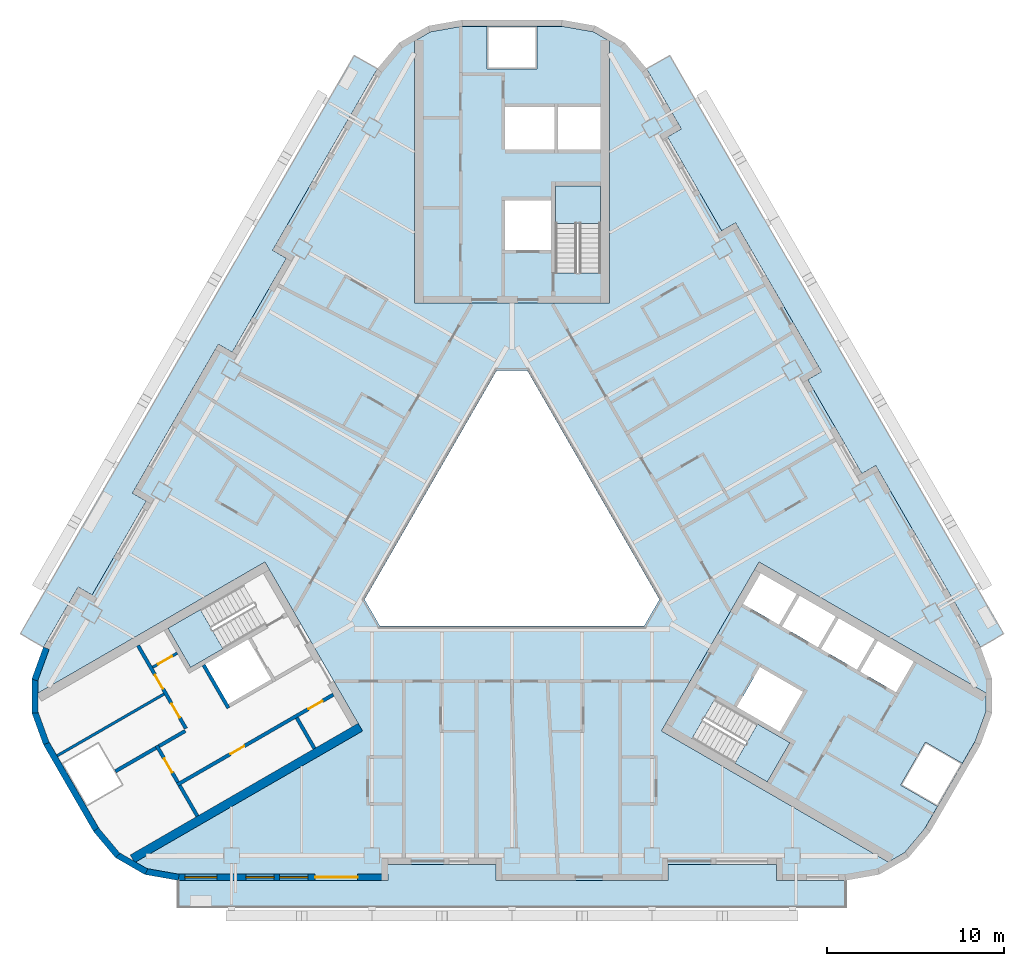
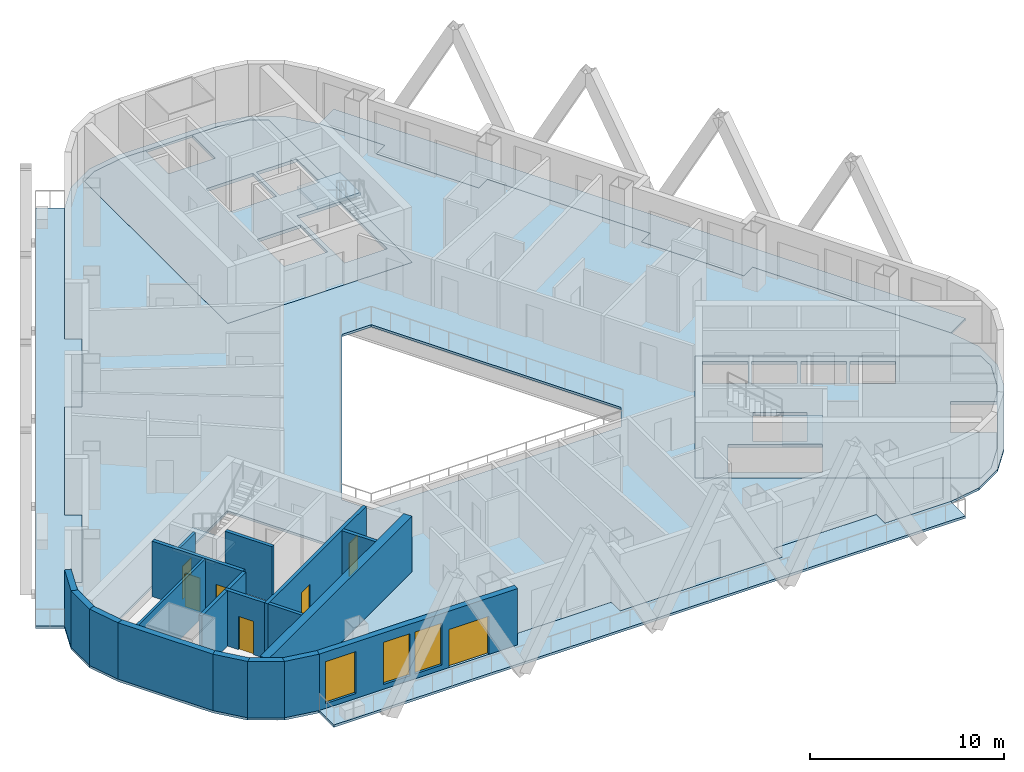
# One storey, part 2 of 14: 19 walls, 9 slabs, 7 doors, 3 windows, 10 openings, 3 elements without a shape of their own.
"""IFC4 building model written with IfcOpenShell, lengths in metres."""

from ifc_helpers import new_model, si_unit, direction, frame, frame_2d, origin, place, context, subcontext, project, spatial, polyline, rectangle, outline, extrude, material, layer, layer_set, type_object, element, fill, aggregate, save


model = new_model("IFC4")

# Units and contexts
model_context = context("Model", 3, precision=1e-05, world=origin(), true_north=direction((0.0, 1.0)))
body_context = subcontext(model_context, "Body", "Model", "MODEL_VIEW")
ifc_project = project(units=[si_unit("LENGTHUNIT", "METRE"), si_unit("AREAUNIT", "SQUARE_METRE"), si_unit("VOLUMEUNIT", "CUBIC_METRE"), si_unit("PLANEANGLEUNIT", "RADIAN"), si_unit("MASSUNIT", "GRAM", prefix="KILO")], contexts=[model_context])

# Site, building, storey
site_placement = place(None, origin())
site = spatial("IfcSite", under=ifc_project, at=site_placement, CompositionType="ELEMENT")
building_placement = place(site_placement, origin())
building = spatial("IfcBuilding", under=site, at=building_placement, Name="Apuvela Tower Hotel", CompositionType="ELEMENT")
storey_placement = place(building_placement, frame((0.0, 0.0, 90.89990234375)))
storey = spatial("IfcBuildingStorey", under=building, at=storey_placement, Name="L20", CompositionType="ELEMENT", Elevation=90.89990234375)

# Slabs
ifc_material_1 = material(Name="Concrete C50/60", Category="concrete")
ifc_layer_1 = layer(ifc_material_1, 0.199951171875)
ifc_layer_set_1 = layer_set([ifc_layer_1], Name="COR-FLOOR-200")
slab_type_1 = type_object("IfcSlabType", Name="COR-FLOOR-200", PredefinedType="FLOOR", material=ifc_layer_set_1)
slab_1_placement = place(storey_placement, frame((0.0, 0.0, -0.199951171875)))
element("IfcSlab", 1, at=slab_1_placement, inside=storey, type_object=slab_type_1, Name="Core floor N", PredefinedType="FLOOR", context=body_context, shape_type="SweptSolid", body=[
    extrude(outline(polyline([(5.5, 27.668212890625), (4.588623046875, 28.1943359375), (2.85498046875, 28.5), (1.39990234375, 28.5), (1.39990234375, 26.10009765625), (-1.39990234375, 26.10009765625), (-1.39990234375, 28.5), (-2.85498046875, 28.5), (-4.588623046875, 28.1943359375), (-5.5, 27.668212890625), (-5.5, 12.89990234375), (5.5, 12.89990234375), (5.5, 27.668212890625)]), holes=[polyline([(5.0, 14.60595703125), (2.449951171875, 14.60595703125), (2.449951171875, 19.5), (5.0, 19.5), (5.0, 14.60595703125)]), polyline([(2.199951171875, 15.89990234375), (-0.39990234375, 15.89990234375), (-0.39990234375, 18.699951171875), (2.199951171875, 18.699951171875), (2.199951171875, 15.89990234375)]), polyline([(5.0, 21.550048828125), (2.60009765625, 21.550048828125), (2.60009765625, 23.949951171875), (5.0, 23.949951171875), (5.0, 21.550048828125)]), polyline([(2.39990234375, 21.550048828125), (-0.39990234375, 21.550048828125), (-0.39990234375, 23.949951171875), (2.39990234375, 23.949951171875), (2.39990234375, 21.550048828125)])]), origin(), (0.0, 0.0, 1.0), 0.199951171875),
])
slab_2_placement = place(storey_placement, frame((0.0, 0.0, -0.199951171875)))
element("IfcSlab", 2, at=slab_2_placement, inside=storey, type_object=slab_type_1, Name="Core floor SE", PredefinedType="FLOOR", context=body_context, shape_type="SweptSolid", body=[
    extrude(outline(polyline([(21.211181640625, -18.59716796875), (22.122802734375, -18.071044921875), (23.254150390625, -16.72265625), (23.981689453125, -15.46240234375), (21.9033203125, -14.262451171875), (23.30322265625, -11.837646484375), (25.381591796875, -13.03759765625), (26.109375, -11.77734375), (26.711181640625, -10.123291015625), (26.711181640625, -9.07080078125), (13.921630859375, -1.68701171875), (8.421630859375, -11.213134765625), (21.211181640625, -18.59716796875)]), holes=[polyline([(13.01806640625, -4.052001953125), (14.01806640625, -2.31982421875), (16.044677734375, -3.489990234375), (15.044677734375, -5.221923828125), (13.01806640625, -4.052001953125)]), polyline([(17.244384765625, -6.491943359375), (15.2177734375, -5.322021484375), (16.2177734375, -3.58984375), (18.244384765625, -4.760009765625), (17.244384765625, -6.491943359375)]), polyline([(14.387451171875, -14.080078125), (10.149169921875, -11.633056640625), (11.42431640625, -9.4248046875), (15.66259765625, -11.871826171875), (14.387451171875, -14.080078125)]), polyline([(12.669921875, -9.855224609375), (13.9697265625, -7.603515625), (16.394775390625, -9.003662109375), (15.0947265625, -11.25537109375), (12.669921875, -9.855224609375)]), polyline([(19.444091796875, -7.761962890625), (17.41748046875, -6.591796875), (18.41748046875, -4.85986328125), (20.444091796875, -6.02978515625), (19.444091796875, -7.761962890625)]), polyline([(21.643798828125, -9.031982421875), (19.6171875, -7.86181640625), (20.6171875, -6.1298828125), (22.643798828125, -7.2998046875), (21.643798828125, -9.031982421875)])]), origin(), (0.0, 0.0, 1.0), 0.199951171875),
])

# Stair, slab
stair_type = type_object("IfcStairType", Name="COR-STAIR-22R", PredefinedType="HALF_TURN_STAIR", material=ifc_material_1)
stair_1_placement = place(storey_placement, origin())
stair_1 = element("IfcStair", 3, at=stair_1_placement, inside=storey, type_object=stair_type, Name="L20 Exit stair ST1", PredefinedType="HALF_TURN_STAIR")
ifc_layer_2 = layer(ifc_material_1, 0.199951171875)
ifc_layer_set_2 = layer_set([ifc_layer_2], Name="COR-LANDING-200")
slab_type_2 = type_object("IfcSlabType", Name="COR-LANDING-200", PredefinedType="LANDING", material=ifc_layer_set_2)
slab_3_placement = place(storey_placement, frame((0.0, 0.0, 1.650146484375)))
slab_3 = element("IfcSlab", 4, at=slab_3_placement, type_object=slab_type_2, Name="ST1 landing 1", PredefinedType="LANDING", context=body_context, shape_type="SweptSolid", body=[
    extrude(outline(polyline([(5.0, 17.39404296875), (5.0, 19.5), (2.449951171875, 19.5), (2.449951171875, 17.39404296875), (5.0, 17.39404296875)])), origin(), (0.0, 0.0, 1.0), 0.199951171875),
])
aggregate(stair_1, [slab_3])

stair_2_placement = place(storey_placement, origin())
stair_2 = element("IfcStair", 5, at=stair_2_placement, inside=storey, type_object=stair_type, Name="L20 Exit stair ST2", PredefinedType="HALF_TURN_STAIR")
slab_4_placement = place(storey_placement, frame((0.0, 0.0, 1.650146484375)))
slab_4 = element("IfcSlab", 6, at=slab_4_placement, type_object=slab_type_2, Name="ST2 landing 1", PredefinedType="LANDING", context=body_context, shape_type="SweptSolid", body=[
    extrude(outline(polyline([(-17.563720703125, -4.366943359375), (-19.387451171875, -5.419921875), (-18.112548828125, -7.628173828125), (-16.28857421875, -6.5751953125), (-17.563720703125, -4.366943359375)])), origin(), (0.0, 0.0, 1.0), 0.199951171875),
])
aggregate(stair_2, [slab_4])

stair_3_placement = place(storey_placement, origin())
stair_3 = element("IfcStair", 7, at=stair_3_placement, inside=storey, type_object=stair_type, Name="L20 Exit stair ST3", PredefinedType="HALF_TURN_STAIR")
slab_5_placement = place(storey_placement, frame((0.0, 0.0, 1.650146484375)))
slab_5 = element("IfcSlab", 8, at=slab_5_placement, type_object=slab_type_2, Name="ST3 landing 1", PredefinedType="LANDING", context=body_context, shape_type="SweptSolid", body=[
    extrude(outline(polyline([(12.563720703125, -13.027099609375), (14.387451171875, -14.080078125), (15.66259765625, -11.871826171875), (13.838623046875, -10.81884765625), (12.563720703125, -13.027099609375)])), origin(), (0.0, 0.0, 1.0), 0.199951171875),
])
aggregate(stair_3, [slab_5])

# Slabs
ifc_material_2 = material(Name="Concrete C40/50, fair-faced", Category="concrete")
ifc_layer_3 = layer(ifc_material_2, 0.14990234375)
ifc_layer_set_3 = layer_set([ifc_layer_3], Name="ENV-BALCONY-150")
slab_type_3 = type_object("IfcSlabType", Name="ENV-BALCONY-150", PredefinedType="FLOOR", material=ifc_layer_set_3)
slab_6_placement = place(storey_placement, frame((0.0, 0.0, -0.14990234375)))
element("IfcSlab", 9, at=slab_6_placement, inside=storey, type_object=slab_type_3, Name="Balcony slab S L20", PredefinedType="FLOOR", context=body_context, shape_type="SweptSolid", body=[
    extrude(outline(polyline([(18.82080078125, -21.135009765625), (-18.82080078125, -21.135009765625), (-18.82080078125, -19.625), (-7.0048828125, -19.625), (-7.0048828125, -18.72509765625), (-0.89501953125, -18.72509765625), (-0.89501953125, -19.625), (8.794921875, -19.625), (8.794921875, -18.72509765625), (14.905029296875, -18.72509765625), (14.905029296875, -19.625), (18.82080078125, -19.625), (18.82080078125, -21.135009765625)])), origin(), (0.0, 0.0, 1.0), 0.14990234375),
])
slab_7_placement = place(storey_placement, frame((0.0, 0.0, -0.14990234375)))
element("IfcSlab", 10, at=slab_7_placement, inside=storey, type_object=slab_type_3, Name="Balcony slab NE L20", PredefinedType="FLOOR", context=body_context, shape_type="SweptSolid", body=[
    extrude(outline(polyline([(17.443359375, 9.037353515625), (12.598388671875, 17.42919921875), (11.81884765625, 16.979248046875), (8.763916015625, 22.2705078125), (9.543212890625, 22.720703125), (7.585205078125, 26.11181640625), (8.89306640625, 26.86669921875), (27.7138671875, -5.731689453125), (26.40625, -6.48681640625), (20.498291015625, 3.74609375), (19.71875, 3.2958984375), (16.663818359375, 8.58740234375), (17.443359375, 9.037353515625)])), origin(), (0.0, 0.0, 1.0), 0.14990234375),
])
slab_8_placement = place(storey_placement, frame((0.0, 0.0, -0.14990234375)))
element("IfcSlab", 11, at=slab_8_placement, inside=storey, type_object=slab_type_3, Name="Balcony slab NW L20", PredefinedType="FLOOR", context=body_context, shape_type="SweptSolid", body=[
    extrude(outline(polyline([(-27.7138671875, -5.731689453125), (-8.89306640625, 26.86669921875), (-7.585205078125, 26.11181640625), (-13.4931640625, 15.87890625), (-12.7138671875, 15.428955078125), (-15.768798828125, 10.1376953125), (-16.548095703125, 10.587646484375), (-21.393310546875, 2.19580078125), (-20.61376953125, 1.745849609375), (-23.668701171875, -3.545654296875), (-24.4482421875, -3.095703125), (-26.40625, -6.48681640625), (-27.7138671875, -5.731689453125)])), origin(), (0.0, 0.0, 1.0), 0.14990234375),
])
ifc_material_3 = material(Name="Concrete C35/45", Category="concrete")
ifc_layer_4 = layer(ifc_material_3, 0.14990234375)
ifc_layer_set_4 = layer_set([ifc_layer_4], Name="STR-SLAB 150 floor Concrete C35/45")
slab_type_4 = type_object("IfcSlabType", Name="STR-SLAB 150 floor Concrete C35/45", PredefinedType="FLOOR", material=ifc_layer_set_4)
slab_9_placement = place(storey_placement, frame((0.0, 0.0, -0.14990234375)))
element("IfcSlab", 12, at=slab_9_placement, inside=storey, type_object=slab_type_4, Name="Floor slab S4 L20", PredefinedType="FLOOR", context=body_context, shape_type="SweptSolid", body=[
    extrude(outline(polyline([(-6.3642578125, 27.5732421875), (-4.710205078125, 28.5283203125), (-2.8291015625, 28.860107421875), (2.8291015625, 28.860107421875), (4.710205078125, 28.5283203125), (6.3642578125, 27.5732421875), (7.59228515625, 26.110107421875), (9.550048828125, 22.71875), (8.770751953125, 22.268798828125), (11.82080078125, 16.986083984375), (12.60009765625, 17.43603515625), (17.4501953125, 9.035400390625), (16.670654296875, 8.58544921875), (19.720703125, 3.302734375), (20.5, 3.752685546875), (26.407958984375, -6.47998046875), (27.061279296875, -8.27490234375), (27.061279296875, -10.18505859375), (26.407958984375, -11.97998046875), (23.5791015625, -16.8798828125), (22.351318359375, -18.34326171875), (20.697021484375, -19.29833984375), (18.81591796875, -19.6298828125), (14.89990234375, -19.6298828125), (14.89990234375, -18.72998046875), (8.800048828125, -18.72998046875), (8.800048828125, -19.6298828125), (-0.89990234375, -19.6298828125), (-0.89990234375, -18.72998046875), (-7.0, -18.72998046875), (-7.0, -19.6298828125), (-18.81591796875, -19.6298828125), (-20.697021484375, -19.29833984375), (-22.351318359375, -18.34326171875), (-23.5791015625, -16.8798828125), (-26.407958984375, -11.97998046875), (-27.061279296875, -10.18505859375), (-27.061279296875, -8.27490234375), (-26.407958984375, -6.47998046875), (-24.4501953125, -3.088623046875), (-23.670654296875, -3.538818359375), (-20.62060546875, 1.743896484375), (-21.400146484375, 2.194091796875), (-16.550048828125, 10.594482421875), (-15.7705078125, 10.14453125), (-12.720703125, 15.42724609375), (-13.5, 15.877197265625), (-7.59228515625, 26.110107421875), (-6.3642578125, 27.5732421875)]), holes=[polyline([(0.865966796875, 9.10009765625), (-0.865966796875, 9.10009765625), (-8.313720703125, -3.800048828125), (-7.44775390625, -5.300048828125), (7.44775390625, -5.300048828125), (8.313720703125, -3.800048828125), (0.865966796875, 9.10009765625)]), polyline([(-5.5, 12.89990234375), (-5.5, 27.668212890625), (-4.588623046875, 28.1943359375), (-2.85498046875, 28.5), (2.85498046875, 28.5), (4.588623046875, 28.1943359375), (5.5, 27.668212890625), (5.5, 12.89990234375), (-5.5, 12.89990234375)]), polyline([(-8.421630859375, -11.213134765625), (-21.211181640625, -18.59716796875), (-22.122802734375, -18.071044921875), (-23.254150390625, -16.72265625), (-26.109375, -11.77734375), (-26.711181640625, -10.123291015625), (-26.711181640625, -9.07080078125), (-13.921630859375, -1.68701171875), (-8.421630859375, -11.213134765625)]), polyline([(13.921630859375, -1.68701171875), (26.711181640625, -9.07080078125), (26.711181640625, -10.123291015625), (26.109375, -11.77734375), (23.254150390625, -16.72265625), (22.122802734375, -18.071044921875), (21.211181640625, -18.59716796875), (8.421630859375, -11.213134765625), (13.921630859375, -1.68701171875)])]), origin(), (0.0, 0.0, 1.0), 0.14990234375),
])

# Wall
ifc_layer_5 = layer(ifc_material_1, 0.5)
ifc_layer_set_5 = layer_set([ifc_layer_5], Name="COR-WALL-CORE-500")
wall_type_1 = type_object("IfcWallType", Name="COR-WALL-CORE-500", PredefinedType="SHEAR", material=ifc_layer_set_5)
wall_1_placement = place(storey_placement, frame((-8.546630859375, -10.99658203125, 0.0), z_axis=(0.0, 0.0, 1.0), x_axis=(-0.866025009528, -0.500000682871, 0.0)))
element("IfcWall", 13, at=wall_1_placement, inside=storey, type_object=wall_type_1, Name="Core wall SW", PredefinedType="SHEAR", context=body_context, shape_type="SweptSolid", body=[
    extrude(rectangle(XDim=14.8369140625, YDim=0.5, at=frame_2d((7.41845703125, 0.0))), origin(), (0.0, 0.0, 1.0), 3.5),
])

# Wall, opening, door
ifc_material_4 = material(Name="Blockwork 150 mm plastered", Category="masonry")
ifc_layer_6 = layer(ifc_material_4, 0.14990234375)
ifc_layer_set_6 = layer_set([ifc_layer_6], Name="COR-WALL-PART-150")
wall_type_2 = type_object("IfcWallType", Name="COR-WALL-PART-150", PredefinedType="PARTITIONING", material=ifc_layer_set_6)
wall_2_placement = place(storey_placement, frame((-18.866455078125, -6.822265625, 0.0), z_axis=(0.0, 0.0, 1.0), x_axis=(-0.866028054938, -0.499995408039, 0.0)))
wall_2 = element("IfcWall", 14, at=wall_2_placement, inside=storey, type_object=wall_type_2, Name="Partition SW", PredefinedType="PARTITIONING", context=body_context, shape_type="SweptSolid", body=[
    extrude(rectangle(XDim=1.60009765625, YDim=0.14990234375, at=frame_2d((0.800048828125, 0.0))), origin(), (0.0, 0.0, 1.0), 3.5),
])
opening_1_placement = place(wall_2_placement, frame((0.35009765625, 0.0, 0.0)))
opening_1 = element("IfcOpeningElement", 15, at=opening_1_placement, cuts=wall_2, Name="Opening W-RD", PredefinedType="OPENING", context=body_context, shape_type="SweptSolid", body=[
    extrude(rectangle(XDim=0.89990234375, YDim=2.10009765625, at=frame_2d((0.449951171875, 1.050048828125))), frame((0.0, 0.0849609375, 0.0), z_axis=(0.0, -1.0, 0.0), x_axis=(1.0, 0.0, 0.0)), (0.0, 0.0, 1.0), 0.169921875),
])
ifc_material_5 = material(Name="Steel access door, powder coated", Category="steel")
door_type_1 = type_object("IfcDoorType", Name="COR-RD-900", OperationType="NOTDEFINED", PredefinedType="DOOR", material=ifc_material_5)
door_1_placement = place(opening_1_placement, frame((0.89990234375, 0.0, 0.0), z_axis=(0.0, 0.0, 1.0), x_axis=(-1.0, 0.0, 0.0)))
door_1 = element("IfcDoor", 16, at=door_1_placement, inside=storey, type_object=door_type_1, Name="Riser door W-RD", OperationType="SINGLE_SWING_RIGHT", OverallHeight=2.10009765625, OverallWidth=0.89990234375, PredefinedType="DOOR", context=body_context, shape_type="SweptSolid", body=[
    extrude(rectangle(XDim=0.89990234375, YDim=2.10009765625, at=frame_2d((0.449951171875, 1.050048828125))), frame((0.0, 0.02490234375, 0.0), z_axis=(0.0, -1.0, 0.0), x_axis=(1.0, 0.0, 0.0)), (0.0, 0.0, 1.0), 0.050048828125),
])
fill(opening_1, door_1)

# Wall
wall_3_placement = place(storey_placement, frame((-19.61279296875, -9.129638671875, 0.0), z_axis=(0.0, 0.0, 1.0), x_axis=(-0.866031734426, -0.499989034847, 0.0)))
element("IfcWall", 17, at=wall_3_placement, inside=storey, type_object=wall_type_2, Name="Partition SW", PredefinedType="PARTITIONING", context=body_context, shape_type="SweptSolid", body=[
    extrude(rectangle(XDim=6.949951171875, YDim=0.14990234375, at=frame_2d((3.47509765625, 0.0))), origin(), (0.0, 0.0, 1.0), 3.5),
])

# Wall, openings, doors
ifc_material_6 = material(Name="Blockwork 200 mm plastered", Category="masonry")
ifc_layer_7 = layer(ifc_material_6, 0.199951171875)
ifc_layer_set_7 = layer_set([ifc_layer_7], Name="COR-WALL-PART-200")
wall_type_3 = type_object("IfcWallType", Name="COR-WALL-PART-200", PredefinedType="PARTITIONING", material=ifc_layer_set_7)
wall_4_placement = place(storey_placement, frame((-21.076171875, -6.39501953125, 0.0), z_axis=(0.0, 0.0, 1.0), x_axis=(0.50001468107, -0.866016927499, 0.0)))
wall_4 = element("IfcWall", 18, at=wall_4_placement, inside=storey, type_object=wall_type_3, Name="Partition SW", PredefinedType="PARTITIONING", context=body_context, shape_type="SweptSolid", body=[
    extrude(rectangle(XDim=5.399658203125, YDim=0.199951171875, at=frame_2d((2.69970703125, 0.0))), origin(), (0.0, 0.0, 1.0), 3.5),
])
opening_2_placement = place(wall_4_placement, frame((1.91259765625, 0.0, 0.0)))
opening_2 = element("IfcOpeningElement", 19, at=opening_2_placement, cuts=wall_4, Name="Opening W-RS1", PredefinedType="OPENING", context=body_context, shape_type="SweptSolid", body=[
    extrude(rectangle(XDim=0.89990234375, YDim=2.10009765625, at=frame_2d((0.449951171875, 1.050048828125))), frame((0.0, 0.10986328125, 0.0), z_axis=(0.0, -1.0, 0.0), x_axis=(1.0, 0.0, 0.0)), (0.0, 0.0, 1.0), 0.219970703125),
])
opening_3_placement = place(wall_4_placement, frame((3.78759765625, 0.0, 0.0)))
opening_3 = element("IfcOpeningElement", 20, at=opening_3_placement, cuts=wall_4, Name="Opening W-RS2", PredefinedType="OPENING", context=body_context, shape_type="SweptSolid", body=[
    extrude(rectangle(XDim=0.89990234375, YDim=2.10009765625, at=frame_2d((0.449951171875, 1.050048828125))), frame((0.0, 0.10986328125, 0.0), z_axis=(0.0, -1.0, 0.0), x_axis=(1.0, 0.0, 0.0)), (0.0, 0.0, 1.0), 0.219970703125),
])
ifc_material_7 = material(Name="Steel fire door, powder coated", Category="steel")
door_type_2 = type_object("IfcDoorType", Name="COR-DR-900", OperationType="NOTDEFINED", PredefinedType="DOOR", material=ifc_material_7)
door_2_placement = place(opening_2_placement, frame((0.89990234375, 0.0, 0.0), z_axis=(0.0, 0.0, 1.0), x_axis=(-1.0, 0.0, 0.0)))
door_2 = element("IfcDoor", 21, at=door_2_placement, inside=storey, type_object=door_type_2, Name="Store door W-RS1", OperationType="SINGLE_SWING_LEFT", OverallHeight=2.10009765625, OverallWidth=0.89990234375, PredefinedType="DOOR", context=body_context, shape_type="SweptSolid", body=[
    extrude(rectangle(XDim=0.89990234375, YDim=2.10009765625, at=frame_2d((0.449951171875, 1.050048828125))), frame((0.0, 0.02490234375, 0.0), z_axis=(0.0, -1.0, 0.0), x_axis=(1.0, 0.0, 0.0)), (0.0, 0.0, 1.0), 0.050048828125),
])
fill(opening_2, door_2)
door_3_placement = place(opening_3_placement, frame((0.89990234375, 0.0, 0.0), z_axis=(0.0, 0.0, 1.0), x_axis=(-1.0, 0.0, 0.0)))
door_3 = element("IfcDoor", 22, at=door_3_placement, inside=storey, type_object=door_type_2, Name="Store door W-RS2", OperationType="SINGLE_SWING_LEFT", OverallHeight=2.10009765625, OverallWidth=0.89990234375, PredefinedType="DOOR", context=body_context, shape_type="SweptSolid", body=[
    extrude(rectangle(XDim=0.89990234375, YDim=2.10009765625, at=frame_2d((0.449951171875, 1.050048828125))), frame((0.0, 0.02490234375, 0.0), z_axis=(0.0, -1.0, 0.0), x_axis=(1.0, 0.0, 0.0)), (0.0, 0.0, 1.0), 0.050048828125),
])
fill(opening_3, door_3)

# Wall
ifc_layer_8 = layer(ifc_material_1, 0.199951171875)
ifc_layer_set_8 = layer_set([ifc_layer_8], Name="COR-WALL-SHAFT-200")
wall_type_4 = type_object("IfcWallType", Name="COR-WALL-SHAFT-200", PredefinedType="SHEAR", material=ifc_layer_set_8)
wall_5_placement = place(storey_placement, frame((-17.38134765625, -7.49462890625, 0.0), z_axis=(0.0, 0.0, 1.0), x_axis=(0.500011755427, -0.866018616679, 0.0)))
element("IfcWall", 23, at=wall_5_placement, inside=storey, type_object=wall_type_4, Name="Shaft wall SW", PredefinedType="SHEAR", context=body_context, shape_type="SweptSolid", body=[
    extrude(rectangle(XDim=2.80029296875, YDim=0.199951171875, at=frame_2d((1.400146484375, 0.0))), origin(), (0.0, 0.0, 1.0), 3.5),
])

# Wall, openings, doors
wall_6_placement = place(storey_placement, frame((-10.068115234375, -9.16162109375, 0.0), z_axis=(0.0, 0.0, 1.0), x_axis=(-0.866032725843, -0.499987317609, 0.0)))
wall_6 = element("IfcWall", 24, at=wall_6_placement, inside=storey, type_object=wall_type_4, Name="Shaft wall SW", PredefinedType="SHEAR", context=body_context, shape_type="SweptSolid", body=[
    extrude(rectangle(XDim=10.159912109375, YDim=0.199951171875, at=frame_2d((5.080078125, 0.0))), origin(), (0.0, 0.0, 1.0), 3.5),
])
opening_4_placement = place(wall_6_placement, frame((0.719970703125, 0.0, 0.0)))
opening_4 = element("IfcOpeningElement", 25, at=opening_4_placement, cuts=wall_6, Name="Opening W-RE1", PredefinedType="OPENING", context=body_context, shape_type="SweptSolid", body=[
    extrude(rectangle(XDim=0.89990234375, YDim=2.10009765625, at=frame_2d((0.449951171875, 1.050048828125))), frame((0.0, 0.10986328125, 0.0), z_axis=(0.0, -1.0, 0.0), x_axis=(1.0, 0.0, 0.0)), (0.0, 0.0, 1.0), 0.219970703125),
])
opening_5_placement = place(wall_6_placement, frame((5.800048828125, 0.0, 0.0)))
opening_5 = element("IfcOpeningElement", 26, at=opening_5_placement, cuts=wall_6, Name="Opening W-RE2", PredefinedType="OPENING", context=body_context, shape_type="SweptSolid", body=[
    extrude(rectangle(XDim=0.89990234375, YDim=2.10009765625, at=frame_2d((0.449951171875, 1.050048828125))), frame((0.0, 0.10986328125, 0.0), z_axis=(0.0, -1.0, 0.0), x_axis=(1.0, 0.0, 0.0)), (0.0, 0.0, 1.0), 0.219970703125),
])
door_4_placement = place(opening_4_placement, origin())
door_4 = element("IfcDoor", 27, at=door_4_placement, inside=storey, type_object=door_type_2, Name="Store door W-RE1", OperationType="SINGLE_SWING_LEFT", OverallHeight=2.10009765625, OverallWidth=0.89990234375, PredefinedType="DOOR", context=body_context, shape_type="SweptSolid", body=[
    extrude(rectangle(XDim=0.89990234375, YDim=2.10009765625, at=frame_2d((0.449951171875, 1.050048828125))), frame((0.0, 0.02490234375, 0.0), z_axis=(0.0, -1.0, 0.0), x_axis=(1.0, 0.0, 0.0)), (0.0, 0.0, 1.0), 0.050048828125),
])
fill(opening_4, door_4)
door_5_placement = place(opening_5_placement, origin())
door_5 = element("IfcDoor", 28, at=door_5_placement, inside=storey, type_object=door_type_2, Name="Store door W-RE2", OperationType="SINGLE_SWING_RIGHT", OverallHeight=2.10009765625, OverallWidth=0.89990234375, PredefinedType="DOOR", context=body_context, shape_type="SweptSolid", body=[
    extrude(rectangle(XDim=0.89990234375, YDim=2.10009765625, at=frame_2d((0.449951171875, 1.050048828125))), frame((0.0, 0.02490234375, 0.0), z_axis=(0.0, -1.0, 0.0), x_axis=(1.0, 0.0, 0.0)), (0.0, 0.0, 1.0), 0.050048828125),
])
fill(opening_5, door_5)

# Wall, opening, door
wall_7_placement = place(storey_placement, frame((-20.030517578125, -12.0263671875, 0.0), z_axis=(0.0, 0.0, 1.0), x_axis=(0.500033551112, -0.866006032174, 0.0)))
wall_7 = element("IfcWall", 29, at=wall_7_placement, inside=storey, type_object=wall_type_4, Name="Shaft wall SW", PredefinedType="SHEAR", context=body_context, shape_type="SweptSolid", body=[
    extrude(rectangle(XDim=2.400146484375, YDim=0.199951171875, at=frame_2d((1.2001953125, 0.0))), origin(), (0.0, 0.0, 1.0), 3.5),
])
opening_6_placement = place(wall_7_placement, frame((0.85009765625, 0.0, 0.0)))
opening_6 = element("IfcOpeningElement", 30, at=opening_6_placement, cuts=wall_7, Name="Opening W-REP", PredefinedType="OPENING", context=body_context, shape_type="SweptSolid", body=[
    extrude(rectangle(XDim=0.89990234375, YDim=2.10009765625, at=frame_2d((0.449951171875, 1.050048828125))), frame((0.0, 0.10986328125, 0.0), z_axis=(0.0, -1.0, 0.0), x_axis=(1.0, 0.0, 0.0)), (0.0, 0.0, 1.0), 0.219970703125),
])
door_6_placement = place(opening_6_placement, frame((0.89990234375, 0.0, 0.0), z_axis=(0.0, 0.0, 1.0), x_axis=(-1.0, 0.0, 0.0)))
door_6 = element("IfcDoor", 31, at=door_6_placement, inside=storey, type_object=door_type_2, Name="Store door W-REP", OperationType="SINGLE_SWING_LEFT", OverallHeight=2.10009765625, OverallWidth=0.89990234375, PredefinedType="DOOR", context=body_context, shape_type="SweptSolid", body=[
    extrude(rectangle(XDim=0.89990234375, YDim=2.10009765625, at=frame_2d((0.449951171875, 1.050048828125))), frame((0.0, 0.02490234375, 0.0), z_axis=(0.0, -1.0, 0.0), x_axis=(1.0, 0.0, 0.0)), (0.0, 0.0, 1.0), 0.050048828125),
])
fill(opening_6, door_6)

# Walls
wall_8_placement = place(storey_placement, frame((-18.412841796875, -11.2080078125, 0.0), z_axis=(0.0, 0.0, 1.0), x_axis=(-0.866038183914, -0.499977863513, 0.0)))
element("IfcWall", 32, at=wall_8_placement, inside=storey, type_object=wall_type_4, Name="Shaft wall SW", PredefinedType="SHEAR", context=body_context, shape_type="SweptSolid", body=[
    extrude(rectangle(XDim=1.7099609375, YDim=0.199951171875, at=frame_2d((0.85498046875, 0.0))), origin(), (0.0, 0.0, 1.0), 3.5),
])
for number, where, z_axis, x_axis, name in (
    (33, (-12.131103515625, -10.468017578125, 0.0), (0.0, 0.0, 1.0), (0.499972520799, -0.866041268327, 0.0), "Shaft wall SW"),
    (34, (-18.73046875, -14.278076171875, 0.0), (0.0, 0.0, 1.0), (0.50002537861, -0.866010750942, 0.0), "Shaft wall SW"),
):
    element("IfcWall", number, at=place(storey_placement, frame(where, z_axis=z_axis, x_axis=x_axis)), inside=storey, type_object=wall_type_4, Name=name, PredefinedType="SHEAR", context=body_context, shape_type="SweptSolid", body=[
        extrude(rectangle(XDim=2.0, YDim=0.199951171875, at=frame_2d((1.0, 0.0))), origin(), (0.0, 0.0, 1.0), 3.5),
    ])
wall_9_placement = place(storey_placement, frame((-20.06689453125, -12.1630859375, 0.0), z_axis=(0.0, 0.0, 1.0), x_axis=(-0.866060851709, -0.499938597367, 0.0)))
element("IfcWall", 35, at=wall_9_placement, inside=storey, type_object=wall_type_4, Name="Shaft wall SW", PredefinedType="SHEAR", context=body_context, shape_type="SweptSolid", body=[
    extrude(rectangle(XDim=2.639892578125, YDim=0.199951171875, at=frame_2d((1.31982421875, 0.0))), origin(), (0.0, 0.0, 1.0), 3.5),
])
ifc_material_8 = material(Name="Concrete C40/50, dark pigmented precast panel", Category="concrete")
ifc_layer_9 = layer(ifc_material_8, 0.35009765625)
ifc_layer_set_9 = layer_set([ifc_layer_9], Name="ENV-WALL-350")
wall_type_5 = type_object("IfcWallType", Name="ENV-WALL-350", PredefinedType="SOLIDWALL", material=ifc_layer_set_9)
for number, where, z_axis, x_axis, name in (
    (36, (-26.24365234375, -6.539794921875, 0.0), (0.0, 0.0, 1.0), (-0.342030395486, -0.939688889242, 0.0), "External wall L20-10"),
    (37, (-26.88623046875, -8.27490234375, 0.0), (0.0, 0.0, 1.0), (0.0, -1.0, 0.0), "External wall L20-11"),
    (38, (-26.89697265625, -10.125244140625, 0.0), (0.0, 0.0, 1.0), (0.342030395486, -0.939688889242, 0.0), "External wall L20-12"),
):
    element("IfcWall", number, at=place(storey_placement, frame(where, z_axis=z_axis, x_axis=x_axis)), inside=storey, type_object=wall_type_5, Name=name, PredefinedType="SOLIDWALL", context=body_context, shape_type="SweptSolid", body=[
        extrude(rectangle(XDim=1.91015625, YDim=0.35009765625, at=frame_2d((0.955078125, 0.0))), origin(), (0.0, 0.0, 1.0), 3.550048828125),
    ])
wall_10_placement = place(storey_placement, frame((-26.256591796875, -11.892578125, 0.0), z_axis=(0.0, 0.0, 1.0), x_axis=(0.500018773155, -0.866014564827, 0.0)))
element("IfcWall", 39, at=wall_10_placement, inside=storey, type_object=wall_type_5, Name="External wall L20-13", PredefinedType="SOLIDWALL", context=body_context, shape_type="SweptSolid", body=[
    extrude(rectangle(XDim=5.657958984375, YDim=0.35009765625, at=frame_2d((2.8291015625, 0.0))), origin(), (0.0, 0.0, 1.0), 3.550048828125),
])
for number, where, z_axis, x_axis, name in (
    (40, (-23.44482421875, -16.767578125, 0.0), (0.0, 0.0, 1.0), (0.642733291068, -0.76609001857, 0.0), "External wall L20-14"),
    (41, (-22.263671875, -18.191650390625, 0.0), (0.0, 0.0, 1.0), (0.866000389056, -0.500043324278, 0.0), "External wall L20-15"),
):
    element("IfcWall", number, at=place(storey_placement, frame(where, z_axis=z_axis, x_axis=x_axis)), inside=storey, type_object=wall_type_5, Name=name, PredefinedType="SOLIDWALL", context=body_context, shape_type="SweptSolid", body=[
        extrude(rectangle(XDim=1.909912109375, YDim=0.35009765625, at=frame_2d((0.955078125, 0.0))), origin(), (0.0, 0.0, 1.0), 3.550048828125),
    ])
wall_11_placement = place(storey_placement, frame((-20.66650390625, -19.1259765625, 0.0), z_axis=(0.0, 0.0, 1.0), x_axis=(0.984798995425, -0.173697837091, 0.0)))
element("IfcWall", 42, at=wall_11_placement, inside=storey, type_object=wall_type_5, Name="External wall L20-16", PredefinedType="SOLIDWALL", context=body_context, shape_type="SweptSolid", body=[
    extrude(rectangle(XDim=1.91015625, YDim=0.35009765625, at=frame_2d((0.955078125, 0.0))), origin(), (0.0, 0.0, 1.0), 3.550048828125),
])

# Wall, openings, door, windows
wall_12_placement = place(storey_placement, frame((-18.81591796875, -19.455078125, 0.0), z_axis=(0.0, 0.0, 1.0), x_axis=(1.0, 0.0, 0.0)))
wall_12 = element("IfcWall", 43, at=wall_12_placement, inside=storey, type_object=wall_type_5, Name="External wall L20-17", PredefinedType="SOLIDWALL", context=body_context, shape_type="SweptSolid", body=[
    extrude(rectangle(XDim=11.81591796875, YDim=0.35009765625, at=frame_2d((5.907958984375, 0.0))), origin(), (0.0, 0.0, 1.0), 3.550048828125),
])
opening_7_placement = place(wall_12_placement, frame((0.380615234375, 0.0, 0.300048828125)))
opening_7 = element("IfcOpeningElement", 44, at=opening_7_placement, cuts=wall_12, Name="Opening WN18", PredefinedType="OPENING", context=body_context, shape_type="SweptSolid", body=[
    extrude(rectangle(XDim=1.800048828125, YDim=2.64990234375, at=frame_2d((0.89990234375, 1.324951171875))), frame((0.0, 0.18505859375, 0.0), z_axis=(0.0, -1.0, 0.0), x_axis=(1.0, 0.0, 0.0)), (0.0, 0.0, 1.0), 0.3701171875),
])
opening_8_placement = place(wall_12_placement, frame((7.71630859375, 0.0, 0.0)))
opening_8 = element("IfcOpeningElement", 45, at=opening_8_placement, cuts=wall_12, Name="Opening BD24", PredefinedType="OPENING", context=body_context, shape_type="SweptSolid", body=[
    extrude(rectangle(XDim=2.39990234375, YDim=2.39990234375, at=frame_2d((1.199951171875, 1.199951171875))), frame((0.0, 0.18505859375, 0.0), z_axis=(0.0, -1.0, 0.0), x_axis=(1.0, 0.0, 0.0)), (0.0, 0.0, 1.0), 0.3701171875),
])
opening_9_placement = place(wall_12_placement, frame((3.816162109375, 0.0, 0.300048828125)))
opening_9 = element("IfcOpeningElement", 46, at=opening_9_placement, cuts=wall_12, Name="Opening WN16", PredefinedType="OPENING", context=body_context, shape_type="SweptSolid", body=[
    extrude(rectangle(XDim=1.60009765625, YDim=2.64990234375, at=frame_2d((0.800048828125, 1.324951171875))), frame((0.0, 0.18505859375, 0.0), z_axis=(0.0, -1.0, 0.0), x_axis=(1.0, 0.0, 0.0)), (0.0, 0.0, 1.0), 0.3701171875),
])
opening_10_placement = place(wall_12_placement, frame((5.71630859375, 0.0, 0.300048828125)))
opening_10 = element("IfcOpeningElement", 47, at=opening_10_placement, cuts=wall_12, Name="Opening WN16", PredefinedType="OPENING", context=body_context, shape_type="SweptSolid", body=[
    extrude(rectangle(XDim=1.60009765625, YDim=2.64990234375, at=frame_2d((0.800048828125, 1.324951171875))), frame((0.0, 0.18505859375, 0.0), z_axis=(0.0, -1.0, 0.0), x_axis=(1.0, 0.0, 0.0)), (0.0, 0.0, 1.0), 0.3701171875),
])
ifc_material_9 = material(Name="Aluminium 6063-T6, dark bronze anodised frame with dark tinted laminated glass", Category="aluminium")
door_type_3 = type_object("IfcDoorType", Name="ENV-DOOR-BALCONY-2400x2400", OperationType="SLIDING_TO_LEFT", PredefinedType="DOOR", material=ifc_material_9)
door_7_placement = place(opening_8_placement, frame((2.39990234375, 0.0, 0.0), z_axis=(0.0, 0.0, 1.0), x_axis=(-1.0, 0.0, 0.0)))
door_7 = element("IfcDoor", 48, at=door_7_placement, inside=storey, type_object=door_type_3, Name="Balcony door BD24", OperationType="SLIDING_TO_LEFT", OverallHeight=2.39990234375, OverallWidth=2.39990234375, PredefinedType="DOOR", context=body_context, shape_type="SweptSolid", body=[
    extrude(rectangle(XDim=2.39990234375, YDim=2.39990234375, at=frame_2d((1.199951171875, 1.199951171875))), frame((0.0, 0.02490234375, 0.0), z_axis=(0.0, -1.0, 0.0), x_axis=(1.0, 0.0, 0.0)), (0.0, 0.0, 1.0), 0.050048828125),
])
fill(opening_8, door_7)
ifc_material_10 = material(Name="Glass, dark tinted laminated insulated glazing unit", Category="glass")
window_type_1 = type_object("IfcWindowType", Name="ENV-WIN-1600x2650", PartitioningType="SINGLE_PANEL", PredefinedType="WINDOW", material=ifc_material_10)
window_1_placement = place(opening_9_placement, origin())
window_1 = element("IfcWindow", 49, at=window_1_placement, inside=storey, type_object=window_type_1, Name="Window WN16", OverallHeight=2.64990234375, OverallWidth=1.60009765625, PartitioningType="SINGLE_PANEL", PredefinedType="WINDOW", context=body_context, shape_type="SweptSolid", body=[
    extrude(rectangle(XDim=1.60009765625, YDim=2.64990234375, at=frame_2d((0.800048828125, 1.324951171875))), frame((0.0, 0.030029296875, 0.0), z_axis=(0.0, -1.0, 0.0), x_axis=(1.0, 0.0, 0.0)), (0.0, 0.0, 1.0), 0.06005859375),
])
fill(opening_9, window_1)
window_2_placement = place(opening_10_placement, origin())
window_2 = element("IfcWindow", 50, at=window_2_placement, inside=storey, type_object=window_type_1, Name="Window WN16", OverallHeight=2.64990234375, OverallWidth=1.60009765625, PartitioningType="SINGLE_PANEL", PredefinedType="WINDOW", context=body_context, shape_type="SweptSolid", body=[
    extrude(rectangle(XDim=1.60009765625, YDim=2.64990234375, at=frame_2d((0.800048828125, 1.324951171875))), frame((0.0, 0.030029296875, 0.0), z_axis=(0.0, -1.0, 0.0), x_axis=(1.0, 0.0, 0.0)), (0.0, 0.0, 1.0), 0.06005859375),
])
fill(opening_10, window_2)
window_type_2 = type_object("IfcWindowType", Name="ENV-WIN-1800x2650", PartitioningType="SINGLE_PANEL", PredefinedType="WINDOW", material=ifc_material_10)
window_3_placement = place(opening_7_placement, origin())
window_3 = element("IfcWindow", 51, at=window_3_placement, inside=storey, type_object=window_type_2, Name="Window WN18", OverallHeight=2.64990234375, OverallWidth=1.800048828125, PartitioningType="SINGLE_PANEL", PredefinedType="WINDOW", context=body_context, shape_type="SweptSolid", body=[
    extrude(rectangle(XDim=1.800048828125, YDim=2.64990234375, at=frame_2d((0.89990234375, 1.324951171875))), frame((0.0, 0.030029296875, 0.0), z_axis=(0.0, -1.0, 0.0), x_axis=(1.0, 0.0, 0.0)), (0.0, 0.0, 1.0), 0.06005859375),
])
fill(opening_7, window_3)

save(model, "model.ifc")
